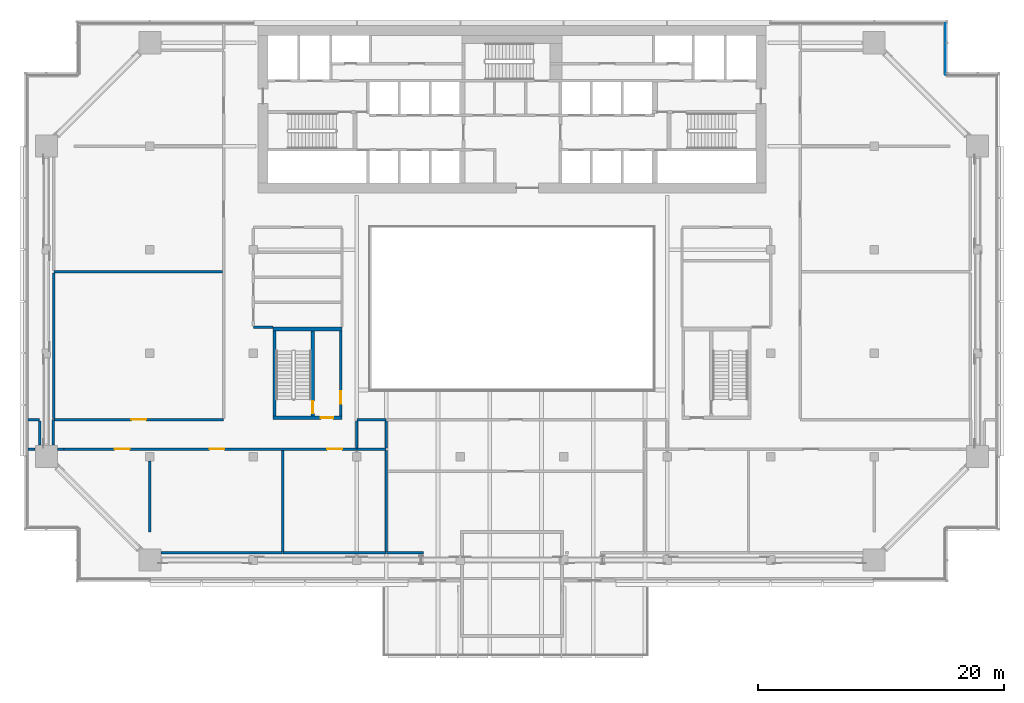
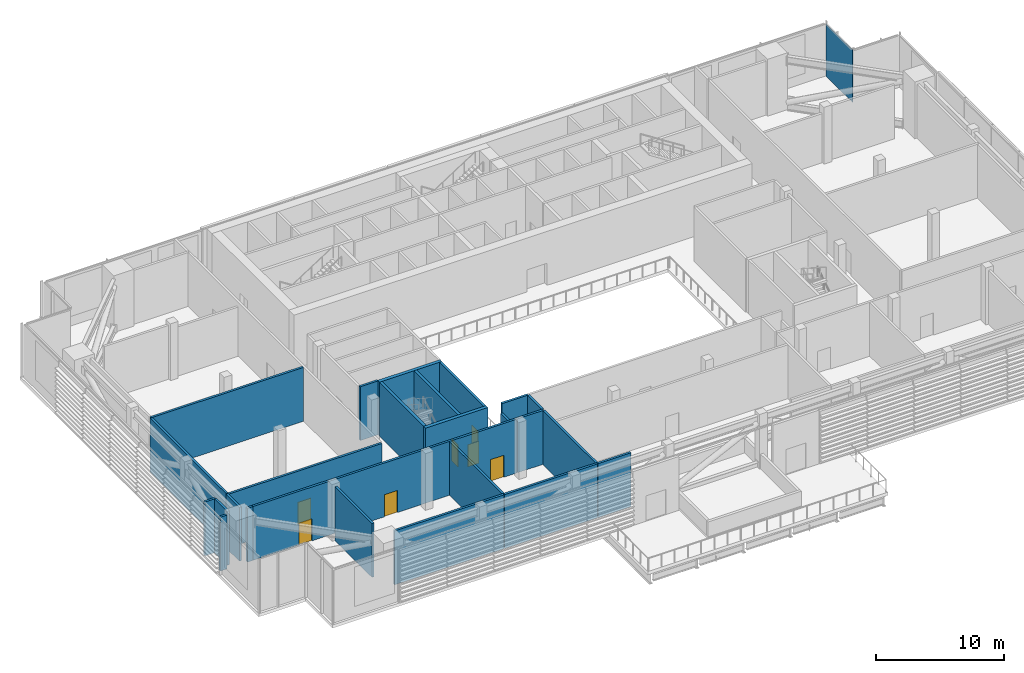
# One storey, part 12 of 29: 25 walls, 7 doors, 1 plate, 7 openings, 1 element without a shape of its own.
"""IFC4 building model written with IfcOpenShell, lengths in metres."""

import ifcopenshell
import ifcopenshell.guid

model = None  # the IFC model being written
_history = None  # IfcOwnerHistory: only IFC2X3 demands one
_inside = {}  # id of a spatial element -> (the spatial element, [elements in it])
_under = {}  # id of a project, library or spatial element -> (it, [spatial elements below it])
_declared = {}  # id of a project -> (the project, [libraries it declares])
_typed = {}  # id of a type object -> (the type object, [elements of that type])
_made_of = {}  # id of a material, layer set ... -> (it, [elements and type objects made of it])


def new_model(schema):
    """Start an empty IFC model of exactly this schema.

    Asked for "IFC4X3", IfcOpenShell would pick the latest addendum, in which some entities
    have other attributes; the version numbers below select the first issue.
    IFC2X3 requires an IfcOwnerHistory on every rooted entity: one is made here for all.
    """
    global model, _history
    if schema == "IFC4X3":
        model = ifcopenshell.file(schema_version=(4, 3, 0, 0))
    else:
        model = ifcopenshell.file(schema=schema)
    _inside.clear()
    _under.clear()
    _declared.clear()
    _typed.clear()
    _made_of.clear()
    _history = None
    if model.schema == "IFC2X3":
        org = make("IfcOrganization", Name="unknown")
        user = make(
            "IfcPersonAndOrganization",
            ThePerson=make("IfcPerson", FamilyName="unknown"),
            TheOrganization=org,
        )
        app = make(
            "IfcApplication",
            ApplicationDeveloper=org,
            Version="unknown",
            ApplicationFullName="unknown",
            ApplicationIdentifier="unknown",
        )
        _history = make(
            "IfcOwnerHistory",
            OwningUser=user,
            OwningApplication=app,
            ChangeAction="ADDED",
            CreationDate=0,
        )
    return model


def make(cls, **values):
    """One entity of the class cls with the attributes given. An attribute that is None is left unset."""
    return model.create_entity(
        cls, **{name: value for name, value in values.items() if value is not None}
    )


def rooted(cls, **values):
    """An entity with a GlobalId (a new one), such as an element, a storey or a relation."""
    return make(cls, GlobalId=ifcopenshell.guid.new(), OwnerHistory=_history, **values)


def si_unit(unit_type, name, prefix=None):
    """IfcSIUnit, for example si_unit("LENGTHUNIT", "METRE", prefix="MILLI")."""
    return make("IfcSIUnit", UnitType=unit_type, Prefix=prefix, Name=name)


def assignment(units):
    """IfcUnitAssignment: the units of a project."""
    return None if units is None else make("IfcUnitAssignment", Units=units)


def point(xyz):
    """IfcCartesianPoint."""
    return None if xyz is None else make("IfcCartesianPoint", Coordinates=xyz)


def direction(xyz):
    """IfcDirection."""
    return None if xyz is None else make("IfcDirection", DirectionRatios=xyz)


def frame(location, z_axis=None, x_axis=None):
    """IfcAxis2Placement3D, a coordinate frame: its origin and axes. An axis left out is left unset."""
    return make(
        "IfcAxis2Placement3D",
        Location=point(location),
        Axis=direction(z_axis),
        RefDirection=direction(x_axis),
    )


def frame_2d(location, x_axis=None):
    """IfcAxis2Placement2D, a coordinate frame in the plane: its origin and x axis."""
    return make(
        "IfcAxis2Placement2D", Location=point(location), RefDirection=direction(x_axis)
    )


def origin():
    """The frame at (0, 0, 0) with its axes left unset."""
    return frame((0.0, 0.0, 0.0))


def place(relative_to, where):
    """IfcLocalPlacement: puts the frame where relative to a parent placement (None: the world)."""
    return make(
        "IfcLocalPlacement", PlacementRelTo=relative_to, RelativePlacement=where
    )


def context(
    kind, dimensions, precision=None, world=None, true_north=None, identifier=None
):
    """IfcGeometricRepresentationContext, for example the 3D "Model" context."""
    return make(
        "IfcGeometricRepresentationContext",
        ContextIdentifier=identifier,
        ContextType=kind,
        CoordinateSpaceDimension=dimensions,
        Precision=precision,
        WorldCoordinateSystem=world,
        TrueNorth=true_north,
    )


def subcontext(parent, identifier, kind, view, scale=None):
    """IfcGeometricRepresentationSubContext, for example "Body" below "Model"."""
    return make(
        "IfcGeometricRepresentationSubContext",
        ContextIdentifier=identifier,
        ContextType=kind,
        ParentContext=parent,
        TargetScale=scale,
        TargetView=view,
    )


def project(units=None, contexts=None):
    """IfcProject with its units and contexts."""
    return rooted(
        "IfcProject",
        Name="project",
        RepresentationContexts=contexts,
        UnitsInContext=assignment(units),
    )


def spatial(cls, under=None, at=None, **own):
    """A site, building, storey or space (cls), placed at a placement, below another one or the project."""
    s = rooted(cls, ObjectPlacement=at, **own)
    if under is not None:
        _under.setdefault(under.id(), (under, []))[1].append(s)
    return s


def profile(cls, at=None, kind="AREA", **sizes):
    """A parametric profile (cls). Its sizes go by their IFC names, for example OverallWidth=200.0."""
    return make(cls, ProfileType=kind, Position=at, **sizes)


def rectangle(**sizes):
    """IfcRectangleProfileDef."""
    return profile("IfcRectangleProfileDef", **sizes)


def extrude(swept, where, along, depth):
    """IfcExtrudedAreaSolid: the profile swept, set in the frame where, extruded along a direction by depth."""
    return make(
        "IfcExtrudedAreaSolid",
        SweptArea=swept,
        Position=where,
        ExtrudedDirection=direction(along),
        Depth=depth,
    )


def shape(context_of_items, identifier, shape_type, items):
    """IfcShapeRepresentation: the items that make up one representation, for example the "Body"."""
    return make(
        "IfcShapeRepresentation",
        ContextOfItems=context_of_items,
        RepresentationIdentifier=identifier,
        RepresentationType=shape_type,
        Items=items,
    )


def material(Name=None, Category=None):
    """IfcMaterial."""
    return make("IfcMaterial", Name=Name, Category=Category)


def layer(
    of_material, thickness, ventilated=None, Name=None, Category=None, Priority=None
):
    """IfcMaterialLayer: one layer of a wall or slab, of a material (None: an air gap)."""
    return make(
        "IfcMaterialLayer",
        Material=of_material,
        LayerThickness=thickness,
        IsVentilated=ventilated,
        Name=Name,
        Category=Category,
        Priority=Priority,
    )


def layer_set(layers, Name=None):
    """IfcMaterialLayerSet."""
    return make("IfcMaterialLayerSet", MaterialLayers=layers, LayerSetName=Name)


def made_of(thing, what):
    """Note that an element or type object is made of a material, layer set ...; save() writes the relation."""
    if what is not None:
        _made_of.setdefault(what.id(), (what, []))[1].append(thing)
    return thing


def type_object(cls, material=None, **own):
    """A type object (cls), such as IfcWallType, which elements share."""
    return made_of(rooted(cls, **own), material)


def element(
    cls,
    number,
    at=None,
    inside=None,
    cuts=None,
    type_object=None,
    material=None,
    context=None,
    identifier="Body",
    shape_type=None,
    held_by="IfcProductDefinitionShape",
    body=None,
    shapes=None,
    **own,
):
    """One element of the class cls, such as IfcWall. Its Tag is "e" and its number.

    at: its placement. inside: the storey or other place that contains it. cuts: it is an
    opening in that element (IfcRelVoidsElement). A single representation is given by context,
    identifier, shape_type and body (its items); several are given by shapes. held_by: the class
    of the entity that holds the representations. save() writes the other relations.
    """
    e = rooted(cls, Tag="e%d" % number, ObjectPlacement=at, **own)
    if body is not None:
        shapes = [shape(context, identifier, shape_type, body)]
    if shapes is not None:
        e.Representation = make(held_by, Representations=shapes)
    if inside is not None:
        _inside.setdefault(inside.id(), (inside, []))[1].append(e)
    if cuts is not None:
        rooted(
            "IfcRelVoidsElement", RelatingBuildingElement=cuts, RelatedOpeningElement=e
        )
    if type_object is not None:
        _typed.setdefault(type_object.id(), (type_object, []))[1].append(e)
    return made_of(e, material)


def fill(opening, filler):
    """IfcRelFillsElement: the door or window that sits in an opening."""
    return rooted(
        "IfcRelFillsElement",
        RelatingOpeningElement=opening,
        RelatedBuildingElement=filler,
    )


def aggregate(whole, parts):
    """IfcRelAggregates: a whole, such as a stair, and the parts it consists of."""
    return rooted("IfcRelAggregates", RelatingObject=whole, RelatedObjects=parts)


def save(model, path):
    """Write the relations noted so far, then the file.

    IfcRelAggregates (storeys below a building ...), IfcRelContainedInSpatialStructure (elements
    in a storey), IfcRelDefinesByType, IfcRelAssociatesMaterial and IfcRelDeclares: one each for
    every whole, place, type object, material and project.
    """
    for whole, parts in _under.values():
        aggregate(whole, parts)
    for where, things in _inside.values():
        rooted(
            "IfcRelContainedInSpatialStructure",
            RelatedElements=things,
            RelatingStructure=where,
        )
    for kind, things in _typed.values():
        rooted("IfcRelDefinesByType", RelatedObjects=things, RelatingType=kind)
    for what, things in _made_of.values():
        rooted("IfcRelAssociatesMaterial", RelatedObjects=things, RelatingMaterial=what)
    for by, libraries in _declared.values():
        rooted("IfcRelDeclares", RelatingContext=by, RelatedDefinitions=libraries)
    model.write(path)


model = new_model("IFC4")

# Units and contexts
model_context = context("Model", 3, precision=1e-05, world=origin(), true_north=direction((0.0, 1.0)))
body_context = subcontext(model_context, "Body", "Model", "MODEL_VIEW")
ifc_project = project(units=[si_unit("LENGTHUNIT", "METRE"), si_unit("AREAUNIT", "SQUARE_METRE"), si_unit("VOLUMEUNIT", "CUBIC_METRE"), si_unit("PLANEANGLEUNIT", "RADIAN"), si_unit("MASSUNIT", "GRAM", prefix="KILO")], contexts=[model_context])

# Site, building, storey
site_placement = place(None, origin())
site = spatial("IfcSite", under=ifc_project, at=site_placement, CompositionType="ELEMENT")
building_placement = place(site_placement, origin())
building = spatial("IfcBuilding", under=site, at=building_placement, Name="Saffron Gate Tower", CompositionType="ELEMENT")
storey_placement = place(building_placement, frame((0.0, 0.0, 142.050048828125)))
storey = spatial("IfcBuildingStorey", under=building, at=storey_placement, Name="L34", CompositionType="ELEMENT", Elevation=142.050048828125)

# Curtain wall, plate
ifc_material_1 = material(Name="Aluminium, bronze anodised", Category="aluminium")
curtain_wall_type = type_object("IfcCurtainWallType", Name="CWS6 curtain wall tall storeys", PredefinedType="NOTDEFINED", material=ifc_material_1)
curtain_wall_placement = place(storey_placement, origin())
curtain_wall = element("IfcCurtainWall", 1, at=curtain_wall_placement, inside=storey, type_object=curtain_wall_type, Name="CWS6 run 6", PredefinedType="NOTDEFINED")
ifc_material_2 = material(Name="Fritted bronze-tinted laminated glass", Category="glass")
ifc_layer_1 = layer(ifc_material_2, 0.028076171875)
ifc_layer_set_1 = layer_set([ifc_layer_1], Name="CWS6 fixed glass")
plate_type = type_object("IfcPlateType", Name="CWS6 fixed glass", PredefinedType="CURTAIN_PANEL", material=ifc_layer_set_1)
plate_placement = place(storey_placement, frame((122.785888671875, 71.199951171875, 0.0), z_axis=(0.0, 0.0, 1.0), x_axis=(0.0, 1.0, 0.0)))
plate = element("IfcPlate", 2, at=plate_placement, type_object=plate_type, Name="CWS6 glass panel", PredefinedType="CURTAIN_PANEL", context=body_context, shape_type="SweptSolid", body=[
    extrude(rectangle(XDim=4.172119140625, YDim=0.028076171875, at=frame_2d((2.0859375, 0.0))), origin(), (0.0, 0.0, 1.0), 5.0),
])
aggregate(curtain_wall, [plate])

# Wall, opening, door
ifc_material_3 = material(Name="Gypsum board partition on steel studs", Category="steel")
ifc_layer_2 = layer(ifc_material_3, 0.199951171875)
ifc_layer_set_2 = layer_set([ifc_layer_2], Name="CW10 Core partition 200")
wall_type_1 = type_object("IfcWallType", Name="CW10 Core partition 200", PredefinedType="PARTITIONING", material=ifc_layer_set_2)
wall_1_placement = place(storey_placement, frame((73.699951171875, 43.5, 0.0), z_axis=(0.0, 0.0, 1.0), x_axis=(0.0, 1.0, 0.0)))
wall_1 = element("IfcWall", 3, at=wall_1_placement, inside=storey, type_object=wall_type_1, Name="Wall CW10-L34-D-4", PredefinedType="PARTITIONING", context=body_context, shape_type="SweptSolid", body=[
    extrude(rectangle(XDim=6.89990234375, YDim=0.199951171875, at=frame_2d((3.449951171875, 0.0))), origin(), (0.0, 0.0, 1.0), 5.119873046875),
])
opening_1_placement = place(wall_1_placement, frame((1.0, 0.0, 0.0)))
opening_1 = element("IfcOpeningElement", 4, at=opening_1_placement, cuts=wall_1, Name="Opening CR-19", PredefinedType="OPENING", context=body_context, shape_type="SweptSolid", body=[
    extrude(rectangle(XDim=1.0, YDim=2.10009765625, at=frame_2d((0.5, 1.050048828125))), frame((0.0, 0.10986328125, 0.0), z_axis=(0.0, -1.0, 0.0), x_axis=(1.0, 0.0, 0.0)), (0.0, 0.0, 1.0), 0.219970703125),
])
ifc_material_4 = material(Name="Steel fire door set", Category="steel")
door_type_1 = type_object("IfcDoorType", Name="CD4 Lobby door 1000x2100 EI 120", OperationType="NOTDEFINED", PredefinedType="DOOR", material=ifc_material_4)
door_1_placement = place(opening_1_placement, origin())
door_1 = element("IfcDoor", 5, at=door_1_placement, inside=storey, type_object=door_type_1, Name="DOOR CR-19", OperationType="SINGLE_SWING_RIGHT", OverallHeight=2.10009765625, OverallWidth=1.0, PredefinedType="DOOR", context=body_context, shape_type="SweptSolid", body=[
    extrude(rectangle(XDim=1.0, YDim=2.10009765625, at=frame_2d((0.5, 1.050048828125))), frame((0.0, 0.02490234375, 0.0), z_axis=(0.0, -1.0, 0.0), x_axis=(1.0, 0.0, 0.0)), (0.0, 0.0, 1.0), 0.050048828125),
])
fill(opening_1, door_1)

# Wall
ifc_material_5 = material(Name="Concrete C60", Category="concrete")
ifc_layer_3 = layer(ifc_material_5, 0.25)
ifc_layer_set_3 = layer_set([ifc_layer_3], Name="CW14 RC core wall 250 C60")
wall_type_2 = type_object("IfcWallType", Name="CW14 RC core wall 250 C60", PredefinedType="SOLIDWALL", material=ifc_layer_set_3)
wall_2_placement = place(storey_placement, frame((68.324951171875, 43.5, 0.0), z_axis=(0.0, 0.0, 1.0), x_axis=(0.0, 1.0, 0.0)))
element("IfcWall", 6, at=wall_2_placement, inside=storey, type_object=wall_type_2, Name="Wall CW14-L34-D-2", PredefinedType="SOLIDWALL", context=body_context, shape_type="SweptSolid", body=[
    extrude(rectangle(XDim=6.89990234375, YDim=0.25, at=frame_2d((3.449951171875, 0.0))), origin(), (0.0, 0.0, 1.0), 5.119873046875),
])

# Wall, opening, door
wall_3_placement = place(storey_placement, frame((71.425048828125, 43.5, 0.0), z_axis=(0.0, 0.0, 1.0), x_axis=(0.0, 1.0, 0.0)))
wall_3 = element("IfcWall", 7, at=wall_3_placement, inside=storey, type_object=wall_type_2, Name="Wall CW14-L34-D-3", PredefinedType="SOLIDWALL", context=body_context, shape_type="SweptSolid", body=[
    extrude(rectangle(XDim=6.89990234375, YDim=0.25, at=frame_2d((3.449951171875, 0.0))), origin(), (0.0, 0.0, 1.0), 5.119873046875),
])
opening_2_placement = place(wall_3_placement, frame((0.199951171875, 0.0, 0.0)))
opening_2 = element("IfcOpeningElement", 8, at=opening_2_placement, cuts=wall_3, Name="Opening CR-20", PredefinedType="OPENING", context=body_context, shape_type="SweptSolid", body=[
    extrude(rectangle(XDim=1.0, YDim=2.10009765625, at=frame_2d((0.5, 1.050048828125))), frame((0.0, 0.135009765625, 0.0), z_axis=(0.0, -1.0, 0.0), x_axis=(1.0, 0.0, 0.0)), (0.0, 0.0, 1.0), 0.27001953125),
])
door_type_2 = type_object("IfcDoorType", Name="CD5 Stair door 1000x2100 EI 120", OperationType="NOTDEFINED", PredefinedType="DOOR", material=ifc_material_4)
door_2_placement = place(opening_2_placement, origin())
door_2 = element("IfcDoor", 9, at=door_2_placement, inside=storey, type_object=door_type_2, Name="DOOR CR-20", OperationType="SINGLE_SWING_LEFT", OverallHeight=2.10009765625, OverallWidth=1.0, PredefinedType="DOOR", context=body_context, shape_type="SweptSolid", body=[
    extrude(rectangle(XDim=1.0, YDim=2.10009765625, at=frame_2d((0.5, 1.050048828125))), frame((0.0, 0.02490234375, 0.0), z_axis=(0.0, -1.0, 0.0), x_axis=(1.0, 0.0, 0.0)), (0.0, 0.0, 1.0), 0.050048828125),
])
fill(opening_2, door_2)

ifc_layer_4 = layer(ifc_material_5, 0.300048828125)
ifc_layer_set_4 = layer_set([ifc_layer_4], Name="CW17 RC core wall 300 C60")
wall_type_3 = type_object("IfcWallType", Name="CW17 RC core wall 300 C60", PredefinedType="SOLIDWALL", material=ifc_layer_set_4)
wall_4_placement = place(storey_placement, frame((68.199951171875, 43.35009765625, 0.0), z_axis=(0.0, 0.0, 1.0), x_axis=(1.0, 0.0, 0.0)))
wall_4 = element("IfcWall", 10, at=wall_4_placement, inside=storey, type_object=wall_type_3, Name="Wall CW17-L34-D-1", PredefinedType="SOLIDWALL", context=body_context, shape_type="SweptSolid", body=[
    extrude(rectangle(XDim=5.60009765625, YDim=0.300048828125, at=frame_2d((2.800048828125, 0.0))), origin(), (0.0, 0.0, 1.0), 5.119873046875),
])
opening_3_placement = place(wall_4_placement, frame((3.875, 0.0, 0.0)))
opening_3 = element("IfcOpeningElement", 11, at=opening_3_placement, cuts=wall_4, Name="Opening CR-18", PredefinedType="OPENING", context=body_context, shape_type="SweptSolid", body=[
    extrude(rectangle(XDim=1.0, YDim=2.10009765625, at=frame_2d((0.5, 1.050048828125))), frame((0.0, 0.16015625, 0.0), z_axis=(0.0, -1.0, 0.0), x_axis=(1.0, 0.0, 0.0)), (0.0, 0.0, 1.0), 0.320068359375),
])
door_3_placement = place(opening_3_placement, origin())
door_3 = element("IfcDoor", 12, at=door_3_placement, inside=storey, type_object=door_type_1, Name="DOOR CR-18", OperationType="SINGLE_SWING_RIGHT", OverallHeight=2.10009765625, OverallWidth=1.0, PredefinedType="DOOR", context=body_context, shape_type="SweptSolid", body=[
    extrude(rectangle(XDim=1.0, YDim=2.10009765625, at=frame_2d((0.5, 1.050048828125))), frame((0.0, 0.02490234375, 0.0), z_axis=(0.0, -1.0, 0.0), x_axis=(1.0, 0.0, 0.0)), (0.0, 0.0, 1.0), 0.050048828125),
])
fill(opening_3, door_3)

# Wall
wall_5_placement = place(storey_placement, frame((68.199951171875, 50.550048828125, 0.0), z_axis=(0.0, 0.0, 1.0), x_axis=(1.0, 0.0, 0.0)))
element("IfcWall", 13, at=wall_5_placement, inside=storey, type_object=wall_type_3, Name="Wall CW17-L34-D-5", PredefinedType="SOLIDWALL", context=body_context, shape_type="SweptSolid", body=[
    extrude(rectangle(XDim=5.60009765625, YDim=0.300048828125, at=frame_2d((2.800048828125, 0.0))), origin(), (0.0, 0.0, 1.0), 5.119873046875),
])

# Wall, openings, doors
ifc_material_6 = material(Name="Clay brick masonry, rendered", Category="masonry")
ifc_layer_5 = layer(ifc_material_6, 0.199951171875)
ifc_layer_set_5 = layer_set([ifc_layer_5], Name="PW3 Corridor wall 200")
wall_type_4 = type_object("IfcWallType", Name="PW3 Corridor wall 200", PredefinedType="PARTITIONING", material=ifc_layer_set_5)
wall_6_placement = place(storey_placement, frame((75.0, 40.800048828125, 0.0), z_axis=(0.0, 0.0, 1.0), x_axis=(-1.0, 0.0, 0.0)))
wall_6 = element("IfcWall", 14, at=wall_6_placement, inside=storey, type_object=wall_type_4, Name="Wall SL-9", PredefinedType="PARTITIONING", context=body_context, shape_type="SweptSolid", body=[
    extrude(rectangle(XDim=23.74853515625, YDim=0.199951171875, at=frame_2d((11.874267578125, 0.0))), origin(), (0.0, 0.0, 1.0), 5.119873046875),
])
opening_4_placement = place(wall_6_placement, frame((1.199951171875, 0.0, 0.0)))
opening_4 = element("IfcOpeningElement", 15, at=opening_4_placement, cuts=wall_6, Name="Opening SL-16", PredefinedType="OPENING", context=body_context, shape_type="SweptSolid", body=[
    extrude(rectangle(XDim=1.199951171875, YDim=2.10009765625, at=frame_2d((0.60009765625, 1.050048828125))), frame((0.0, 0.10986328125, 0.0), z_axis=(0.0, -1.0, 0.0), x_axis=(1.0, 0.0, 0.0)), (0.0, 0.0, 1.0), 0.219970703125),
])
opening_5_placement = place(wall_6_placement, frame((10.751220703125, 0.0, 0.0)))
opening_5 = element("IfcOpeningElement", 16, at=opening_5_placement, cuts=wall_6, Name="Opening SL-15", PredefinedType="OPENING", context=body_context, shape_type="SweptSolid", body=[
    extrude(rectangle(XDim=1.199951171875, YDim=2.10009765625, at=frame_2d((0.60009765625, 1.050048828125))), frame((0.0, 0.10986328125, 0.0), z_axis=(0.0, -1.0, 0.0), x_axis=(1.0, 0.0, 0.0)), (0.0, 0.0, 1.0), 0.219970703125),
])
opening_6_placement = place(wall_6_placement, frame((18.4501953125, 0.0, 0.0)))
opening_6 = element("IfcOpeningElement", 17, at=opening_6_placement, cuts=wall_6, Name="Opening SL-14", PredefinedType="OPENING", context=body_context, shape_type="SweptSolid", body=[
    extrude(rectangle(XDim=1.199951171875, YDim=2.10009765625, at=frame_2d((0.60009765625, 1.050048828125))), frame((0.0, 0.10986328125, 0.0), z_axis=(0.0, -1.0, 0.0), x_axis=(1.0, 0.0, 0.0)), (0.0, 0.0, 1.0), 0.219970703125),
])
ifc_material_7 = material(Name="Timber door set", Category="wood")
door_type_3 = type_object("IfcDoorType", Name="HD1 Hall door 1200x2100", OperationType="NOTDEFINED", PredefinedType="DOOR", material=ifc_material_7)
door_4_placement = place(opening_4_placement, origin())
door_4 = element("IfcDoor", 18, at=door_4_placement, inside=storey, type_object=door_type_3, Name="Door SL-16", OperationType="SINGLE_SWING_LEFT", OverallHeight=2.10009765625, OverallWidth=1.199951171875, PredefinedType="DOOR", context=body_context, shape_type="SweptSolid", body=[
    extrude(rectangle(XDim=1.199951171875, YDim=2.10009765625, at=frame_2d((0.60009765625, 1.050048828125))), frame((0.0, 0.02490234375, 0.0), z_axis=(0.0, -1.0, 0.0), x_axis=(1.0, 0.0, 0.0)), (0.0, 0.0, 1.0), 0.050048828125),
])
fill(opening_4, door_4)
door_5_placement = place(opening_5_placement, origin())
door_5 = element("IfcDoor", 19, at=door_5_placement, inside=storey, type_object=door_type_3, Name="Door SL-15", OperationType="SINGLE_SWING_LEFT", OverallHeight=2.10009765625, OverallWidth=1.199951171875, PredefinedType="DOOR", context=body_context, shape_type="SweptSolid", body=[
    extrude(rectangle(XDim=1.199951171875, YDim=2.10009765625, at=frame_2d((0.60009765625, 1.050048828125))), frame((0.0, 0.02490234375, 0.0), z_axis=(0.0, -1.0, 0.0), x_axis=(1.0, 0.0, 0.0)), (0.0, 0.0, 1.0), 0.050048828125),
])
fill(opening_5, door_5)
door_6_placement = place(opening_6_placement, origin())
door_6 = element("IfcDoor", 20, at=door_6_placement, inside=storey, type_object=door_type_3, Name="Door SL-14", OperationType="SINGLE_SWING_LEFT", OverallHeight=2.10009765625, OverallWidth=1.199951171875, PredefinedType="DOOR", context=body_context, shape_type="SweptSolid", body=[
    extrude(rectangle(XDim=1.199951171875, YDim=2.10009765625, at=frame_2d((0.60009765625, 1.050048828125))), frame((0.0, 0.02490234375, 0.0), z_axis=(0.0, -1.0, 0.0), x_axis=(1.0, 0.0, 0.0)), (0.0, 0.0, 1.0), 0.050048828125),
])
fill(opening_6, door_6)

# Wall, opening, door
wall_7_placement = place(storey_placement, frame((50.39990234375, 43.199951171875, 0.0), z_axis=(0.0, 0.0, 1.0), x_axis=(1.0, 0.0, 0.0)))
wall_7 = element("IfcWall", 21, at=wall_7_placement, inside=storey, type_object=wall_type_4, Name="Wall SL-17", PredefinedType="PARTITIONING", context=body_context, shape_type="SweptSolid", body=[
    extrude(rectangle(XDim=13.800048828125, YDim=0.199951171875, at=frame_2d((6.89990234375, 0.0))), origin(), (0.0, 0.0, 1.0), 5.119873046875),
])
opening_7_placement = place(wall_7_placement, frame((6.300048828125, 0.0, 0.0)))
opening_7 = element("IfcOpeningElement", 22, at=opening_7_placement, cuts=wall_7, Name="Opening SL-17", PredefinedType="OPENING", context=body_context, shape_type="SweptSolid", body=[
    extrude(rectangle(XDim=1.199951171875, YDim=2.10009765625, at=frame_2d((0.60009765625, 1.050048828125))), frame((0.0, 0.10986328125, 0.0), z_axis=(0.0, -1.0, 0.0), x_axis=(1.0, 0.0, 0.0)), (0.0, 0.0, 1.0), 0.219970703125),
])
door_7_placement = place(opening_7_placement, origin())
door_7 = element("IfcDoor", 23, at=door_7_placement, inside=storey, type_object=door_type_3, Name="Door SL-17", OperationType="SINGLE_SWING_RIGHT", OverallHeight=2.10009765625, OverallWidth=1.199951171875, PredefinedType="DOOR", context=body_context, shape_type="SweptSolid", body=[
    extrude(rectangle(XDim=1.199951171875, YDim=2.10009765625, at=frame_2d((0.60009765625, 1.050048828125))), frame((0.0, 0.02490234375, 0.0), z_axis=(0.0, -1.0, 0.0), x_axis=(1.0, 0.0, 0.0)), (0.0, 0.0, 1.0), 0.050048828125),
])
fill(opening_7, door_7)

# Walls
wall_8_placement = place(storey_placement, frame((66.60009765625, 50.699951171875, 0.0), z_axis=(0.0, 0.0, 1.0), x_axis=(1.0, 0.0, 0.0)))
element("IfcWall", 24, at=wall_8_placement, inside=storey, type_object=wall_type_4, Name="Wall SL-24", PredefinedType="PARTITIONING", context=body_context, shape_type="SweptSolid", body=[
    extrude(rectangle(XDim=1.599853515625, YDim=0.199951171875, at=frame_2d((0.7998046875, 0.0))), origin(), (0.0, 0.0, 1.0), 5.119873046875),
])
ifc_layer_6 = layer(ifc_material_6, 0.199951171875)
ifc_layer_set_6 = layer_set([ifc_layer_6], Name="PW5 Room wall 200")
wall_type_5 = type_object("IfcWallType", Name="PW5 Room wall 200", PredefinedType="PARTITIONING", material=ifc_layer_set_6)
wall_9_placement = place(storey_placement, frame((59.1201171875, 32.39990234375, 0.0), z_axis=(0.0, 0.0, 1.0), x_axis=(1.0, 0.0, 0.0)))
element("IfcWall", 25, at=wall_9_placement, inside=storey, type_object=wall_type_5, Name="Wall SL-1", PredefinedType="PARTITIONING", context=body_context, shape_type="SweptSolid", body=[
    extrude(rectangle(XDim=9.85986328125, YDim=0.199951171875, at=frame_2d((4.929931640625, 0.0))), origin(), (0.0, 0.0, 1.0), 5.119873046875),
])
wall_10_placement = place(storey_placement, frame((69.02001953125, 32.39990234375, 0.0), z_axis=(0.0, 0.0, 1.0), x_axis=(1.0, 0.0, 0.0)))
element("IfcWall", 26, at=wall_10_placement, inside=storey, type_object=wall_type_5, Name="Wall SL-2", PredefinedType="PARTITIONING", context=body_context, shape_type="SweptSolid", body=[
    extrude(rectangle(XDim=8.35986328125, YDim=0.199951171875, at=frame_2d((4.179931640625, 0.0))), origin(), (0.0, 0.0, 1.0), 5.119873046875),
])
wall_11_placement = place(storey_placement, frame((77.419921875, 32.39990234375, 0.0), z_axis=(0.0, 0.0, 1.0), x_axis=(1.0, 0.0, 0.0)))
element("IfcWall", 27, at=wall_11_placement, inside=storey, type_object=wall_type_5, Name="Wall SL-3", PredefinedType="PARTITIONING", context=body_context, shape_type="SweptSolid", body=[
    extrude(rectangle(XDim=2.97998046875, YDim=0.199951171875, at=frame_2d((1.489990234375, 0.0))), origin(), (0.0, 0.0, 1.0), 5.119873046875),
])
wall_12_placement = place(storey_placement, frame((48.300048828125, 40.800048828125, 0.0), z_axis=(0.0, 0.0, 1.0), x_axis=(1.0, 0.0, 0.0)))
element("IfcWall", 28, at=wall_12_placement, inside=storey, type_object=wall_type_5, Name="Wall SL-11", PredefinedType="PARTITIONING", context=body_context, shape_type="SweptSolid", body=[
    extrude(rectangle(XDim=0.579833984375, YDim=0.199951171875, at=frame_2d((0.2900390625, 0.0))), origin(), (0.0, 0.0, 1.0), 5.119873046875),
])
wall_13_placement = place(storey_placement, frame((50.719970703125, 40.800048828125, 0.0), z_axis=(0.0, 0.0, 1.0), x_axis=(1.0, 0.0, 0.0)))
element("IfcWall", 29, at=wall_13_placement, inside=storey, type_object=wall_type_5, Name="Wall SL-12", PredefinedType="PARTITIONING", context=body_context, shape_type="SweptSolid", body=[
    extrude(rectangle(XDim=0.511474609375, YDim=0.199951171875, at=frame_2d((0.255859375, 0.0))), origin(), (0.0, 0.0, 1.0), 5.119873046875),
])
wall_14_placement = place(storey_placement, frame((75.02001953125, 40.800048828125, 0.0), z_axis=(0.0, 0.0, 1.0), x_axis=(1.0, 0.0, 0.0)))
element("IfcWall", 30, at=wall_14_placement, inside=storey, type_object=wall_type_5, Name="Wall SL-13", PredefinedType="PARTITIONING", context=body_context, shape_type="SweptSolid", body=[
    extrude(rectangle(XDim=2.35986328125, YDim=0.199951171875, at=frame_2d((1.179931640625, 0.0))), origin(), (0.0, 0.0, 1.0), 5.119873046875),
])
wall_15_placement = place(storey_placement, frame((48.300048828125, 43.199951171875, 0.0), z_axis=(0.0, 0.0, 1.0), x_axis=(1.0, 0.0, 0.0)))
element("IfcWall", 31, at=wall_15_placement, inside=storey, type_object=wall_type_5, Name="Wall SL-20", PredefinedType="PARTITIONING", context=body_context, shape_type="SweptSolid", body=[
    extrude(rectangle(XDim=0.949951171875, YDim=0.199951171875, at=frame_2d((0.47509765625, 0.0))), origin(), (0.0, 0.0, 1.0), 5.119873046875),
])
wall_16_placement = place(storey_placement, frame((75.02001953125, 43.199951171875, 0.0), z_axis=(0.0, 0.0, 1.0), x_axis=(1.0, 0.0, 0.0)))
element("IfcWall", 32, at=wall_16_placement, inside=storey, type_object=wall_type_5, Name="Wall SL-21", PredefinedType="PARTITIONING", context=body_context, shape_type="SweptSolid", body=[
    extrude(rectangle(XDim=2.35986328125, YDim=0.199951171875, at=frame_2d((1.179931640625, 0.0))), origin(), (0.0, 0.0, 1.0), 5.119873046875),
])
wall_17_placement = place(storey_placement, frame((50.39990234375, 55.199951171875, 0.0), z_axis=(0.0, 0.0, 1.0), x_axis=(1.0, 0.0, 0.0)))
element("IfcWall", 33, at=wall_17_placement, inside=storey, type_object=wall_type_5, Name="Wall SL-28", PredefinedType="PARTITIONING", context=body_context, shape_type="SweptSolid", body=[
    extrude(rectangle(XDim=13.7001953125, YDim=0.199951171875, at=frame_2d((6.85009765625, 0.0))), origin(), (0.0, 0.0, 1.0), 5.119873046875),
])
wall_18_placement = place(storey_placement, frame((49.25, 43.10009765625, 0.0), z_axis=(0.0, 0.0, 1.0), x_axis=(0.0, -1.0, 0.0)))
element("IfcWall", 34, at=wall_18_placement, inside=storey, type_object=wall_type_5, Name="Wall SL-40", PredefinedType="PARTITIONING", context=body_context, shape_type="SweptSolid", body=[
    extrude(rectangle(XDim=1.97998046875, YDim=0.199951171875, at=frame_2d((0.989990234375, 0.0))), origin(), (0.0, 0.0, 1.0), 5.119873046875),
])
wall_19_placement = place(storey_placement, frame((50.35009765625, 43.199951171875, 0.0), z_axis=(0.0, 0.0, 1.0), x_axis=(0.0, -1.0, 0.0)))
element("IfcWall", 35, at=wall_19_placement, inside=storey, type_object=wall_type_5, Name="Wall SL-41", PredefinedType="PARTITIONING", context=body_context, shape_type="SweptSolid", body=[
    extrude(rectangle(XDim=2.079833984375, YDim=0.199951171875, at=frame_2d((1.0400390625, 0.0))), origin(), (0.0, 0.0, 1.0), 5.119873046875),
])
wall_20_placement = place(storey_placement, frame((50.39990234375, 55.10009765625, 0.0), z_axis=(0.0, 0.0, 1.0), x_axis=(0.0, -1.0, 0.0)))
element("IfcWall", 36, at=wall_20_placement, inside=storey, type_object=wall_type_5, Name="Wall SL-42", PredefinedType="PARTITIONING", context=body_context, shape_type="SweptSolid", body=[
    extrude(rectangle(XDim=11.800048828125, YDim=0.199951171875, at=frame_2d((5.89990234375, 0.0))), origin(), (0.0, 0.0, 1.0), 5.119873046875),
])
wall_21_placement = place(storey_placement, frame((58.199951171875, 39.830078125, 0.0), z_axis=(0.0, 0.0, 1.0), x_axis=(0.0, -1.0, 0.0)))
element("IfcWall", 37, at=wall_21_placement, inside=storey, type_object=wall_type_5, Name="Wall SL-44", PredefinedType="PARTITIONING", context=body_context, shape_type="SweptSolid", body=[
    extrude(rectangle(XDim=5.767333984375, YDim=0.199951171875, at=frame_2d((2.8837890625, 0.0))), origin(), (0.0, 0.0, 1.0), 5.119873046875),
])
wall_22_placement = place(storey_placement, frame((69.0, 40.699951171875, 0.0), z_axis=(0.0, 0.0, 1.0), x_axis=(0.0, -1.0, 0.0)))
element("IfcWall", 38, at=wall_22_placement, inside=storey, type_object=wall_type_5, Name="Wall SL-49", PredefinedType="PARTITIONING", context=body_context, shape_type="SweptSolid", body=[
    extrude(rectangle(XDim=8.199951171875, YDim=0.199951171875, at=frame_2d((4.10009765625, 0.0))), origin(), (0.0, 0.0, 1.0), 5.119873046875),
])
wall_23_placement = place(storey_placement, frame((75.0, 43.10009765625, 0.0), z_axis=(0.0, 0.0, 1.0), x_axis=(0.0, -1.0, 0.0)))
element("IfcWall", 39, at=wall_23_placement, inside=storey, type_object=wall_type_5, Name="Wall SL-51", PredefinedType="PARTITIONING", context=body_context, shape_type="SweptSolid", body=[
    extrude(rectangle(XDim=2.2001953125, YDim=0.199951171875, at=frame_2d((1.10009765625, 0.0))), origin(), (0.0, 0.0, 1.0), 4.22998046875),
])
wall_24_placement = place(storey_placement, frame((77.39990234375, 43.10009765625, 0.0), z_axis=(0.0, 0.0, 1.0), x_axis=(0.0, -1.0, 0.0)))
element("IfcWall", 40, at=wall_24_placement, inside=storey, type_object=wall_type_5, Name="Wall SL-52", PredefinedType="PARTITIONING", context=body_context, shape_type="SweptSolid", body=[
    extrude(rectangle(XDim=2.2001953125, YDim=0.199951171875, at=frame_2d((1.10009765625, 0.0))), origin(), (0.0, 0.0, 1.0), 5.119873046875),
])
wall_25_placement = place(storey_placement, frame((77.39990234375, 40.699951171875, 0.0), z_axis=(0.0, 0.0, 1.0), x_axis=(0.0, -1.0, 0.0)))
element("IfcWall", 41, at=wall_25_placement, inside=storey, type_object=wall_type_5, Name="Wall SL-53", PredefinedType="PARTITIONING", context=body_context, shape_type="SweptSolid", body=[
    extrude(rectangle(XDim=8.199951171875, YDim=0.199951171875, at=frame_2d((4.10009765625, 0.0))), origin(), (0.0, 0.0, 1.0), 5.119873046875),
])

save(model, "model.ifc")
